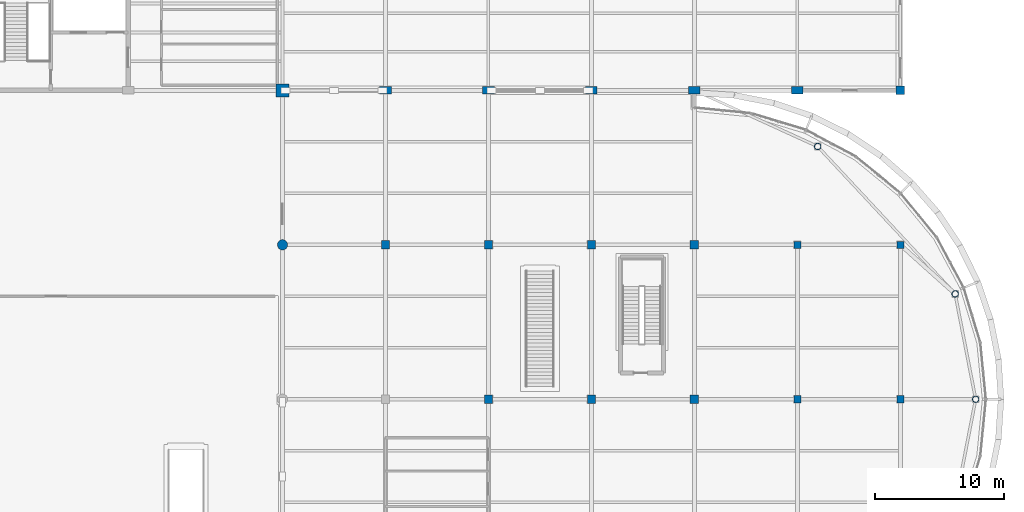
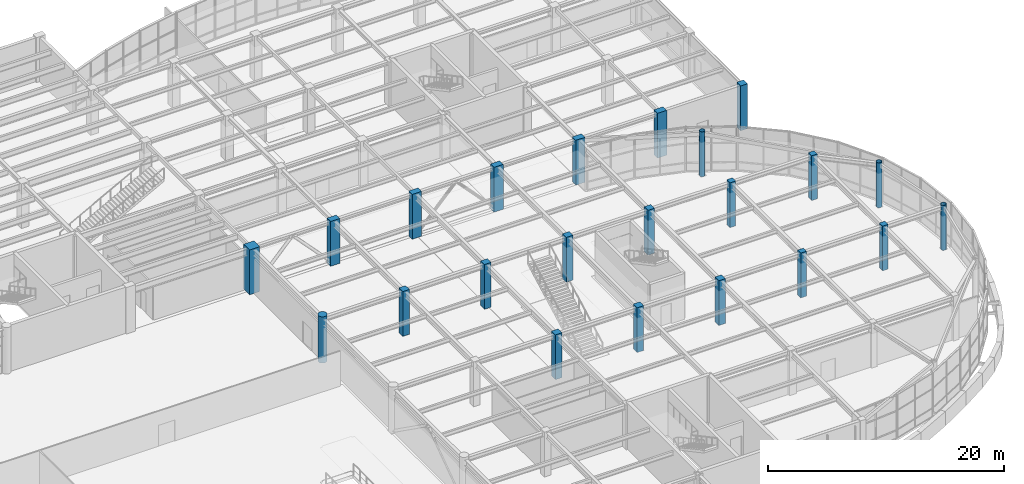
# One storey, part 8 of 72: 22 columns.
"""IFC4 building model written with IfcOpenShell, lengths in metres."""

from ifc_helpers import new_model, si_unit, direction, frame, origin, origin_2d, place, context, subcontext, project, spatial, rectangle, circle, hollow_circle, extrude, material, material_profile, profile_set, type_object, element, save


model = new_model("IFC4")

# Units and contexts
model_context = context("Model", 3, precision=1e-05, world=origin(), true_north=direction((0.0, 1.0)))
body_context = subcontext(model_context, "Body", "Model", "MODEL_VIEW")
ifc_project = project(units=[si_unit("LENGTHUNIT", "METRE"), si_unit("AREAUNIT", "SQUARE_METRE"), si_unit("VOLUMEUNIT", "CUBIC_METRE"), si_unit("PLANEANGLEUNIT", "RADIAN"), si_unit("MASSUNIT", "GRAM", prefix="KILO")], contexts=[model_context])

# Site, building, storey
site_placement = place(None, origin())
site = spatial("IfcSite", under=ifc_project, at=site_placement, CompositionType="ELEMENT")
building_placement = place(site_placement, origin())
building = spatial("IfcBuilding", under=site, at=building_placement, Name="Keelwater Ferry Terminal", CompositionType="ELEMENT")
storey_placement = place(building_placement, frame((0.0, 0.0, 5.39990234375)))
storey = spatial("IfcBuildingStorey", under=building, at=storey_placement, Name="L01", CompositionType="ELEMENT", Elevation=5.39990234375)

# Columns
ifc_material_1 = material(Name="Concrete C45/55", Category="concrete")
ifc_material_profile_1 = material_profile(ifc_material_1, rectangle(XDim=0.64990234375, YDim=0.64990234375, at=origin_2d()), Name="RC 650x650")
ifc_profile_set_1 = profile_set([ifc_material_profile_1], Name="Concrete C45/55")
column_type_1 = type_object("IfcColumnType", Name="C3 RC 650x650", PredefinedType="COLUMN", material=ifc_profile_set_1)
for number, where, z_axis, x_axis, name in (
    (1, (140.0, 78.0, 0.0), (0.0, 0.0, 1.0), (1.0, 0.0, 0.0), "Column CL-L01-0303"),
    (2, (148.0, 66.0, 0.0), (0.0, 0.0, 1.0), (1.0, 0.0, 0.0), "Column CL-L01-0346"),
    (3, (148.0, 78.0, 0.0), (0.0, 0.0, 1.0), (1.0, 0.0, 0.0), "Column CL-L01-0350"),
    (4, (156.0, 66.0, 0.0), (0.0, 0.0, 1.0), (1.0, 0.0, 0.0), "Column CL-L01-0385"),
    (5, (156.0, 78.0, 0.0), (0.0, 0.0, 1.0), (1.0, 0.0, 0.0), "Column CL-L01-0389"),
    (6, (164.0, 66.0, 0.0), (0.0, 0.0, 1.0), (1.0, 0.0, 0.0), "Column CL-L01-0424"),
    (7, (164.0, 78.0, 0.0), (0.0, 0.0, 1.0), (1.0, 0.0, 0.0), "Column CL-L01-0428"),
):
    element("IfcColumn", number, at=place(storey_placement, frame(where, z_axis=z_axis, x_axis=x_axis)), inside=storey, type_object=column_type_1, Name=name, PredefinedType="COLUMN", context=body_context, shape_type="SweptSolid", body=[
        extrude(rectangle(XDim=0.64990234375, YDim=0.64990234375, at=origin_2d()), origin(), (0.0, 0.0, 1.0), 4.64013671875),
    ])
ifc_material_2 = material(Name="Concrete C45/55", Category="concrete")
ifc_material_profile_2 = material_profile(ifc_material_2, rectangle(XDim=0.64990234375, YDim=0.64990234375, at=origin_2d()), Name="RC 650x650")
ifc_profile_set_2 = profile_set([ifc_material_profile_2], Name="Concrete C45/55")
column_type_2 = type_object("IfcColumnType", Name="C3E RC 650x650", PredefinedType="COLUMN", material=ifc_profile_set_2)
column_1_placement = place(storey_placement, frame((180.0, 90.0, 0.0), z_axis=(0.0, 0.0, 1.0), x_axis=(1.0, 0.0, 0.0)))
element("IfcColumn", 8, at=column_1_placement, inside=storey, type_object=column_type_2, Name="Column CL-L01-0503", PredefinedType="COLUMN", context=body_context, shape_type="SweptSolid", body=[
    extrude(rectangle(XDim=0.64990234375, YDim=0.64990234375, at=origin_2d()), origin(), (0.0, 0.0, 1.0), 4.64013671875),
])
ifc_material_3 = material(Name="Concrete C45/55", Category="concrete")
ifc_material_profile_3 = material_profile(ifc_material_3, rectangle(XDim=0.550048828125, YDim=0.550048828125, at=origin_2d()), Name="RC 550x550")
ifc_profile_set_3 = profile_set([ifc_material_profile_3], Name="Concrete C45/55")
column_type_3 = type_object("IfcColumnType", Name="C4 RC 550x550", PredefinedType="COLUMN", material=ifc_profile_set_3)
for number, where, z_axis, x_axis, name in (
    (9, (172.0, 66.0, 0.0), (0.0, 0.0, 1.0), (1.0, 0.0, 0.0), "Column CL-L01-0459"),
    (10, (172.0, 78.0, 0.0), (0.0, 0.0, 1.0), (1.0, 0.0, 0.0), "Column CL-L01-0462"),
    (11, (180.0, 66.0, 0.0), (0.0, 0.0, 1.0), (1.0, 0.0, 0.0), "Column CL-L01-0497"),
    (12, (180.0, 78.0, 0.0), (0.0, 0.0, 1.0), (1.0, 0.0, 0.0), "Column CL-L01-0500"),
):
    element("IfcColumn", number, at=place(storey_placement, frame(where, z_axis=z_axis, x_axis=x_axis)), inside=storey, type_object=column_type_3, Name=name, PredefinedType="COLUMN", context=body_context, shape_type="SweptSolid", body=[
        extrude(rectangle(XDim=0.550048828125, YDim=0.550048828125, at=origin_2d()), origin(), (0.0, 0.0, 1.0), 4.64013671875),
    ])
ifc_material_4 = material(Name="Concrete C50/60", Category="concrete")
ifc_material_profile_4 = material_profile(ifc_material_4, circle(Radius=0.39990234375, at=origin_2d()), Name="RC D800")
ifc_profile_set_4 = profile_set([ifc_material_profile_4], Name="Concrete C50/60")
column_type_4 = type_object("IfcColumnType", Name="C6 RC D800", PredefinedType="COLUMN", material=ifc_profile_set_4)
column_2_placement = place(storey_placement, frame((132.0, 78.0, 0.0), z_axis=(0.0, 0.0, 1.0), x_axis=(1.0, 0.0, 0.0)))
element("IfcColumn", 13, at=column_2_placement, inside=storey, type_object=column_type_4, Name="Column CL-L01-0251", PredefinedType="COLUMN", context=body_context, shape_type="SweptSolid", body=[
    extrude(circle(Radius=0.39990234375, at=origin_2d()), origin(), (0.0, 0.0, 1.0), 4.800048828125),
])
ifc_material_5 = material(Name="Steel S355", Category="steel")
ifc_material_profile_5 = material_profile(ifc_material_5, hollow_circle(Radius=0.25390625, WallThickness=0.02001953125, at=origin_2d()), Name="CHS 508x20")
ifc_profile_set_5 = profile_set([ifc_material_profile_5], Name="Steel S355")
column_type_5 = type_object("IfcColumnType", Name="C8E CHS 508x20", PredefinedType="COLUMN", material=ifc_profile_set_5)
for number, where, z_axis, x_axis, name in (
    (14, (173.577880859375, 85.638916015625, 0.0), (0.0, 0.0, 1.0), (1.0, 0.0, 0.0), "Column CL-L01-0543"),
    (15, (184.259033203125, 74.18505859375, 0.0), (0.0, 0.0, 1.0), (1.0, 0.0, 0.0), "Column CL-L01-0546"),
    (16, (185.85009765625, 66.0, 0.0), (0.0, 0.0, 1.0), (1.0, 0.0, 0.0), "Column CL-L01-0549"),
):
    element("IfcColumn", number, at=place(storey_placement, frame(where, z_axis=z_axis, x_axis=x_axis)), inside=storey, type_object=column_type_5, Name=name, PredefinedType="COLUMN", context=body_context, shape_type="SweptSolid", body=[
        extrude(hollow_circle(Radius=0.25390625, WallThickness=0.02001953125, at=origin_2d()), origin(), (0.0, 0.0, 1.0), 4.64013671875),
    ])
ifc_material_6 = material(Name="Concrete C50/60", Category="concrete")
ifc_material_profile_6 = material_profile(ifc_material_6, rectangle(XDim=1.0, YDim=1.0, at=origin_2d()), Name="RC 1000x1000")
ifc_profile_set_6 = profile_set([ifc_material_profile_6], Name="Concrete C50/60")
column_type_6 = type_object("IfcColumnType", Name="MC1E RC 1000x1000", PredefinedType="COLUMN", material=ifc_profile_set_6)
column_3_placement = place(storey_placement, frame((132.0, 90.0, 0.0), z_axis=(0.0, 0.0, 1.0), x_axis=(1.0, 0.0, 0.0)))
element("IfcColumn", 17, at=column_3_placement, inside=storey, type_object=column_type_6, Name="Column CL-L01-0255", PredefinedType="COLUMN", context=body_context, shape_type="SweptSolid", body=[
    extrude(rectangle(XDim=1.0, YDim=1.0, at=origin_2d()), origin(), (0.0, 0.0, 1.0), 4.64013671875),
])
ifc_material_7 = material(Name="Concrete C45/55", Category="concrete")
ifc_material_profile_7 = material_profile(ifc_material_7, rectangle(XDim=0.60009765625, YDim=0.89990234375, at=origin_2d()), Name="RC 900x600")
ifc_profile_set_7 = profile_set([ifc_material_profile_7], Name="Concrete C45/55")
column_type_7 = type_object("IfcColumnType", Name="PL1E RC 900x600", PredefinedType="PILASTER", material=ifc_profile_set_7)
for number, where, z_axis, x_axis, name in (
    (18, (140.0, 90.0, 0.0), (0.0, 0.0, 1.0), (0.0, 1.0, 0.0), "Column CL-L01-0307"),
    (19, (148.0, 90.0, 0.0), (0.0, 0.0, 1.0), (0.0, 1.0, 0.0), "Column CL-L01-0354"),
    (20, (156.0, 90.0, 0.0), (0.0, 0.0, 1.0), (0.0, 1.0, 0.0), "Column CL-L01-0393"),
    (21, (164.0, 90.0, 0.0), (0.0, 0.0, 1.0), (0.0, 1.0, 0.0), "Column CL-L01-0432"),
    (22, (172.0, 90.0, 0.0), (0.0, 0.0, 1.0), (0.0, 1.0, 0.0), "Column CL-L01-0465"),
):
    element("IfcColumn", number, at=place(storey_placement, frame(where, z_axis=z_axis, x_axis=x_axis)), inside=storey, type_object=column_type_7, Name=name, PredefinedType="PILASTER", context=body_context, shape_type="SweptSolid", body=[
        extrude(rectangle(XDim=0.60009765625, YDim=0.89990234375, at=origin_2d()), origin(), (0.0, 0.0, 1.0), 4.64013671875),
    ])

save(model, "model.ifc")
